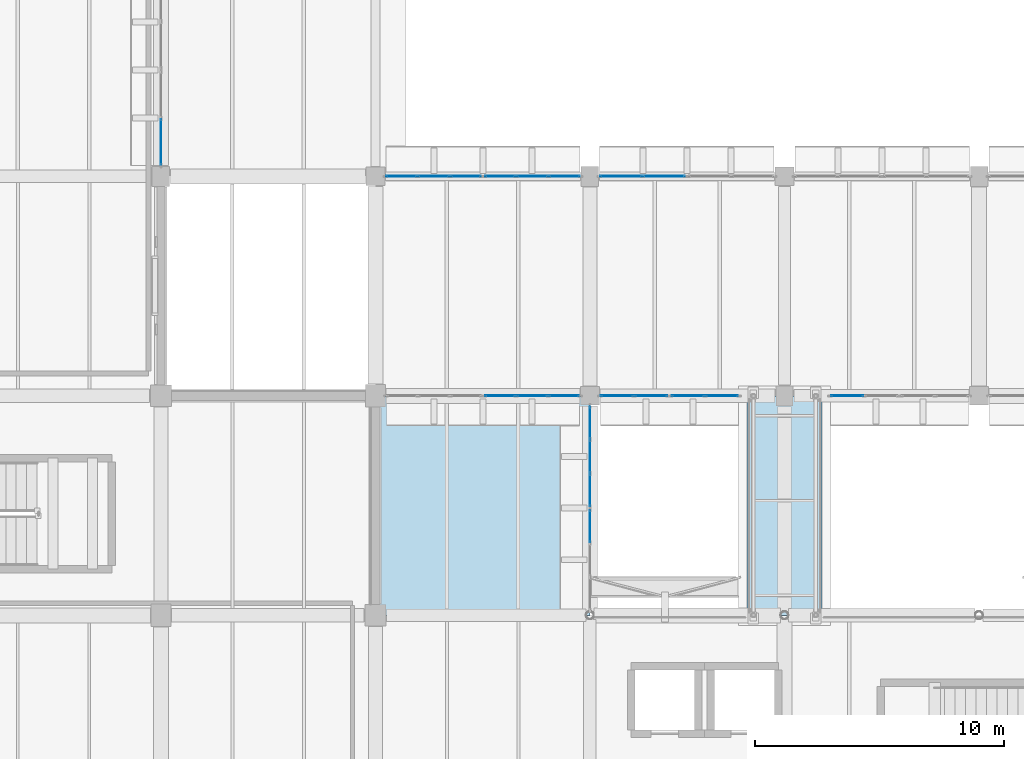
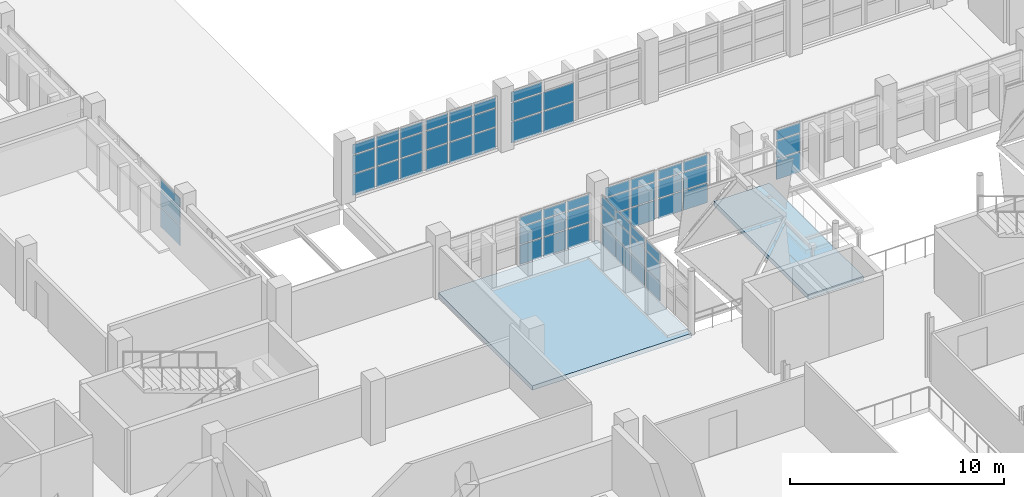
# One storey, part 50 of 80: 62 plates, 2 slabs, 10 elements without a shape of their own.
"""IFC4 building model written with IfcOpenShell, lengths in metres."""

from ifc_helpers import new_model, si_unit, direction, frame, origin, origin_2d, place, context, subcontext, project, spatial, polyline, rectangle, outline, extrude, material, layer, layer_set, type_object, element, aggregate, save


model = new_model("IFC4")

# Units and contexts
model_context = context("Model", 3, precision=1e-05, world=origin(), true_north=direction((0.0, 1.0)))
body_context = subcontext(model_context, "Body", "Model", "MODEL_VIEW")
ifc_project = project(units=[si_unit("LENGTHUNIT", "METRE"), si_unit("AREAUNIT", "SQUARE_METRE"), si_unit("VOLUMEUNIT", "CUBIC_METRE"), si_unit("PLANEANGLEUNIT", "RADIAN"), si_unit("MASSUNIT", "GRAM", prefix="KILO")], contexts=[model_context])

# Site, building, storey
site_placement = place(None, origin())
site = spatial("IfcSite", under=ifc_project, at=site_placement, CompositionType="ELEMENT")
building_placement = place(site_placement, origin())
building = spatial("IfcBuilding", under=site, at=building_placement, Name="Varnakota Cinema and Media Centre", CompositionType="ELEMENT")
storey_placement = place(building_placement, frame((0.0, 0.0, 4.5)))
storey = spatial("IfcBuildingStorey", under=building, at=storey_placement, Name="L01", CompositionType="ELEMENT", Elevation=4.5)

# Curtain wall, plates
ifc_material_1 = material(Name="Thermally broken anodised aluminium AW-6063", Category="aluminium")
curtain_wall_type_1 = type_object("IfcCurtainWallType", Name="CW-STD-392x304", PredefinedType="USERDEFINED", material=ifc_material_1)
curtain_wall_1_placement = place(storey_placement, origin())
curtain_wall_1 = element("IfcCurtainWall", 1, at=curtain_wall_1_placement, inside=storey, type_object=curtain_wall_type_1, Name="L01 curtain wall CW-L01-LINK-N-01-1", ObjectType="UNITISED CURTAIN WALL", PredefinedType="USERDEFINED")
ifc_material_2 = material(Name="Laminated solar-control double glazing", Category="glass")
ifc_layer_1 = layer(ifc_material_2, 0.028076171875)
ifc_layer_set_1 = layer_set([ifc_layer_1], Name="Laminated solar-control double glazing")
plate_type = type_object("IfcPlateType", Name="CWP-DGU-28", PredefinedType="CURTAIN_PANEL", material=ifc_layer_set_1)
plate_1_placement = place(storey_placement, frame((44.044189453125, 44.0, 0.06494140625), z_axis=(0.0, 0.0, 1.0), x_axis=(1.0, 0.0, 0.0)))
plate_1 = element("IfcPlate", 2, at=plate_1_placement, type_object=plate_type, Name="CW18 panel 1.1", PredefinedType="CURTAIN_PANEL", context=body_context, shape_type="SweptSolid", body=[
    extrude(rectangle(XDim=1.208251953125, YDim=0.028076171875, at=origin_2d()), origin(), (0.0, 0.0, 1.0), 1.17724609375),
])
plate_2_placement = place(storey_placement, frame((44.044189453125, 44.0, 1.30712890625), z_axis=(0.0, 0.0, 1.0), x_axis=(1.0, 0.0, 0.0)))
plate_2 = element("IfcPlate", 3, at=plate_2_placement, type_object=plate_type, Name="CW18 panel 1.2", PredefinedType="CURTAIN_PANEL", context=body_context, shape_type="SweptSolid", body=[
    extrude(rectangle(XDim=1.208251953125, YDim=0.028076171875, at=origin_2d()), origin(), (0.0, 0.0, 1.0), 1.027587890625),
])
plate_3_placement = place(storey_placement, frame((44.044189453125, 44.0, 2.399658203125), z_axis=(0.0, 0.0, 1.0), x_axis=(1.0, 0.0, 0.0)))
plate_3 = element("IfcPlate", 4, at=plate_3_placement, type_object=plate_type, Name="CW18 panel 1.3", PredefinedType="CURTAIN_PANEL", context=body_context, shape_type="SweptSolid", body=[
    extrude(rectangle(XDim=1.208251953125, YDim=0.028076171875, at=origin_2d()), origin(), (0.0, 0.0, 1.0), 0.5703125),
])
plate_4_placement = place(storey_placement, frame((45.333740234375, 44.0, 0.06494140625), z_axis=(0.0, 0.0, 1.0), x_axis=(1.0, 0.0, 0.0)))
plate_4 = element("IfcPlate", 5, at=plate_4_placement, type_object=plate_type, Name="CW18 panel 2.1", PredefinedType="CURTAIN_PANEL", context=body_context, shape_type="SweptSolid", body=[
    extrude(rectangle(XDim=1.24072265625, YDim=0.028076171875, at=origin_2d()), origin(), (0.0, 0.0, 1.0), 1.17724609375),
])
plate_5_placement = place(storey_placement, frame((45.333740234375, 44.0, 1.30712890625), z_axis=(0.0, 0.0, 1.0), x_axis=(1.0, 0.0, 0.0)))
plate_5 = element("IfcPlate", 6, at=plate_5_placement, type_object=plate_type, Name="CW18 panel 2.2", PredefinedType="CURTAIN_PANEL", context=body_context, shape_type="SweptSolid", body=[
    extrude(rectangle(XDim=1.24072265625, YDim=0.028076171875, at=origin_2d()), origin(), (0.0, 0.0, 1.0), 1.027587890625),
])
plate_6_placement = place(storey_placement, frame((45.333740234375, 44.0, 2.399658203125), z_axis=(0.0, 0.0, 1.0), x_axis=(1.0, 0.0, 0.0)))
plate_6 = element("IfcPlate", 7, at=plate_6_placement, type_object=plate_type, Name="CW18 panel 2.3", PredefinedType="CURTAIN_PANEL", context=body_context, shape_type="SweptSolid", body=[
    extrude(rectangle(XDim=1.24072265625, YDim=0.028076171875, at=origin_2d()), origin(), (0.0, 0.0, 1.0), 0.5703125),
])
plate_7_placement = place(storey_placement, frame((46.623291015625, 44.0, 0.06494140625), z_axis=(0.0, 0.0, 1.0), x_axis=(1.0, 0.0, 0.0)))
plate_7 = element("IfcPlate", 8, at=plate_7_placement, type_object=plate_type, Name="CW18 panel 3.1", PredefinedType="CURTAIN_PANEL", context=body_context, shape_type="SweptSolid", body=[
    extrude(rectangle(XDim=1.208251953125, YDim=0.028076171875, at=origin_2d()), origin(), (0.0, 0.0, 1.0), 1.17724609375),
])
plate_8_placement = place(storey_placement, frame((46.623291015625, 44.0, 1.30712890625), z_axis=(0.0, 0.0, 1.0), x_axis=(1.0, 0.0, 0.0)))
plate_8 = element("IfcPlate", 9, at=plate_8_placement, type_object=plate_type, Name="CW18 panel 3.2", PredefinedType="CURTAIN_PANEL", context=body_context, shape_type="SweptSolid", body=[
    extrude(rectangle(XDim=1.208251953125, YDim=0.028076171875, at=origin_2d()), origin(), (0.0, 0.0, 1.0), 1.027587890625),
])
plate_9_placement = place(storey_placement, frame((46.623291015625, 44.0, 2.399658203125), z_axis=(0.0, 0.0, 1.0), x_axis=(1.0, 0.0, 0.0)))
plate_9 = element("IfcPlate", 10, at=plate_9_placement, type_object=plate_type, Name="CW18 panel 3.3", PredefinedType="CURTAIN_PANEL", context=body_context, shape_type="SweptSolid", body=[
    extrude(rectangle(XDim=1.208251953125, YDim=0.028076171875, at=origin_2d()), origin(), (0.0, 0.0, 1.0), 0.5703125),
])
aggregate(curtain_wall_1, [plate_1, plate_2, plate_3, plate_4, plate_5, plate_6, plate_7, plate_8, plate_9])

curtain_wall_2_placement = place(storey_placement, origin())
curtain_wall_2 = element("IfcCurtainWall", 11, at=curtain_wall_2_placement, inside=storey, type_object=curtain_wall_type_1, Name="L01 curtain wall CW-L01-LINK-N-01-2", ObjectType="UNITISED CURTAIN WALL", PredefinedType="USERDEFINED")
plate_10_placement = place(storey_placement, frame((48.001708984375, 44.0, 0.06494140625), z_axis=(0.0, 0.0, 1.0), x_axis=(1.0, 0.0, 0.0)))
plate_10 = element("IfcPlate", 12, at=plate_10_placement, type_object=plate_type, Name="CW18 panel 1.1", PredefinedType="CURTAIN_PANEL", context=body_context, shape_type="SweptSolid", body=[
    extrude(rectangle(XDim=1.208251953125, YDim=0.028076171875, at=origin_2d()), origin(), (0.0, 0.0, 1.0), 1.17724609375),
])
plate_11_placement = place(storey_placement, frame((48.001708984375, 44.0, 1.30712890625), z_axis=(0.0, 0.0, 1.0), x_axis=(1.0, 0.0, 0.0)))
plate_11 = element("IfcPlate", 13, at=plate_11_placement, type_object=plate_type, Name="CW18 panel 1.2", PredefinedType="CURTAIN_PANEL", context=body_context, shape_type="SweptSolid", body=[
    extrude(rectangle(XDim=1.208251953125, YDim=0.028076171875, at=origin_2d()), origin(), (0.0, 0.0, 1.0), 1.027587890625),
])
plate_12_placement = place(storey_placement, frame((48.001708984375, 44.0, 2.399658203125), z_axis=(0.0, 0.0, 1.0), x_axis=(1.0, 0.0, 0.0)))
plate_12 = element("IfcPlate", 14, at=plate_12_placement, type_object=plate_type, Name="CW18 panel 1.3", PredefinedType="CURTAIN_PANEL", context=body_context, shape_type="SweptSolid", body=[
    extrude(rectangle(XDim=1.208251953125, YDim=0.028076171875, at=origin_2d()), origin(), (0.0, 0.0, 1.0), 0.5703125),
])
plate_13_placement = place(storey_placement, frame((49.291259765625, 44.0, 0.06494140625), z_axis=(0.0, 0.0, 1.0), x_axis=(1.0, 0.0, 0.0)))
plate_13 = element("IfcPlate", 15, at=plate_13_placement, type_object=plate_type, Name="CW18 panel 2.1", PredefinedType="CURTAIN_PANEL", context=body_context, shape_type="SweptSolid", body=[
    extrude(rectangle(XDim=1.24072265625, YDim=0.028076171875, at=origin_2d()), origin(), (0.0, 0.0, 1.0), 1.17724609375),
])
plate_14_placement = place(storey_placement, frame((49.291259765625, 44.0, 1.30712890625), z_axis=(0.0, 0.0, 1.0), x_axis=(1.0, 0.0, 0.0)))
plate_14 = element("IfcPlate", 16, at=plate_14_placement, type_object=plate_type, Name="CW18 panel 2.2", PredefinedType="CURTAIN_PANEL", context=body_context, shape_type="SweptSolid", body=[
    extrude(rectangle(XDim=1.24072265625, YDim=0.028076171875, at=origin_2d()), origin(), (0.0, 0.0, 1.0), 1.027587890625),
])
plate_15_placement = place(storey_placement, frame((49.291259765625, 44.0, 2.399658203125), z_axis=(0.0, 0.0, 1.0), x_axis=(1.0, 0.0, 0.0)))
plate_15 = element("IfcPlate", 17, at=plate_15_placement, type_object=plate_type, Name="CW18 panel 2.3", PredefinedType="CURTAIN_PANEL", context=body_context, shape_type="SweptSolid", body=[
    extrude(rectangle(XDim=1.24072265625, YDim=0.028076171875, at=origin_2d()), origin(), (0.0, 0.0, 1.0), 0.5703125),
])
plate_16_placement = place(storey_placement, frame((50.580810546875, 44.0, 0.06494140625), z_axis=(0.0, 0.0, 1.0), x_axis=(1.0, 0.0, 0.0)))
plate_16 = element("IfcPlate", 18, at=plate_16_placement, type_object=plate_type, Name="CW18 panel 3.1", PredefinedType="CURTAIN_PANEL", context=body_context, shape_type="SweptSolid", body=[
    extrude(rectangle(XDim=1.208251953125, YDim=0.028076171875, at=origin_2d()), origin(), (0.0, 0.0, 1.0), 1.17724609375),
])
plate_17_placement = place(storey_placement, frame((50.580810546875, 44.0, 1.30712890625), z_axis=(0.0, 0.0, 1.0), x_axis=(1.0, 0.0, 0.0)))
plate_17 = element("IfcPlate", 19, at=plate_17_placement, type_object=plate_type, Name="CW18 panel 3.2", PredefinedType="CURTAIN_PANEL", context=body_context, shape_type="SweptSolid", body=[
    extrude(rectangle(XDim=1.208251953125, YDim=0.028076171875, at=origin_2d()), origin(), (0.0, 0.0, 1.0), 1.027587890625),
])
plate_18_placement = place(storey_placement, frame((50.580810546875, 44.0, 2.399658203125), z_axis=(0.0, 0.0, 1.0), x_axis=(1.0, 0.0, 0.0)))
plate_18 = element("IfcPlate", 20, at=plate_18_placement, type_object=plate_type, Name="CW18 panel 3.3", PredefinedType="CURTAIN_PANEL", context=body_context, shape_type="SweptSolid", body=[
    extrude(rectangle(XDim=1.208251953125, YDim=0.028076171875, at=origin_2d()), origin(), (0.0, 0.0, 1.0), 0.5703125),
])
aggregate(curtain_wall_2, [plate_10, plate_11, plate_12, plate_13, plate_14, plate_15, plate_16, plate_17, plate_18])

ifc_material_3 = material(Name="Thermally broken anodised aluminium AW-6063", Category="aluminium")
curtain_wall_type_2 = type_object("IfcCurtainWallType", Name="CW-STD-352x304", PredefinedType="USERDEFINED", material=ifc_material_3)
curtain_wall_3_placement = place(storey_placement, origin())
curtain_wall_3 = element("IfcCurtainWall", 21, at=curtain_wall_3_placement, inside=storey, type_object=curtain_wall_type_2, Name="L01 curtain wall CW-L01-LINK-N-02-1", ObjectType="UNITISED CURTAIN WALL", PredefinedType="USERDEFINED")
plate_19_placement = place(storey_placement, frame((52.845703125, 44.0, 0.06494140625), z_axis=(0.0, 0.0, 1.0), x_axis=(1.0, 0.0, 0.0)))
plate_19 = element("IfcPlate", 22, at=plate_19_placement, type_object=plate_type, Name="CW19 panel 1.1", PredefinedType="CURTAIN_PANEL", context=body_context, shape_type="SweptSolid", body=[
    extrude(rectangle(XDim=1.6611328125, YDim=0.028076171875, at=origin_2d()), origin(), (0.0, 0.0, 1.0), 1.17724609375),
])
plate_20_placement = place(storey_placement, frame((52.845703125, 44.0, 1.30712890625), z_axis=(0.0, 0.0, 1.0), x_axis=(1.0, 0.0, 0.0)))
plate_20 = element("IfcPlate", 23, at=plate_20_placement, type_object=plate_type, Name="CW19 panel 1.2", PredefinedType="CURTAIN_PANEL", context=body_context, shape_type="SweptSolid", body=[
    extrude(rectangle(XDim=1.6611328125, YDim=0.028076171875, at=origin_2d()), origin(), (0.0, 0.0, 1.0), 1.027587890625),
])
plate_21_placement = place(storey_placement, frame((52.845703125, 44.0, 2.399658203125), z_axis=(0.0, 0.0, 1.0), x_axis=(1.0, 0.0, 0.0)))
plate_21 = element("IfcPlate", 24, at=plate_21_placement, type_object=plate_type, Name="CW19 panel 1.3", PredefinedType="CURTAIN_PANEL", context=body_context, shape_type="SweptSolid", body=[
    extrude(rectangle(XDim=1.6611328125, YDim=0.028076171875, at=origin_2d()), origin(), (0.0, 0.0, 1.0), 0.5703125),
])
plate_22_placement = place(storey_placement, frame((54.57177734375, 44.0, 0.06494140625), z_axis=(0.0, 0.0, 1.0), x_axis=(1.0, 0.0, 0.0)))
plate_22 = element("IfcPlate", 25, at=plate_22_placement, type_object=plate_type, Name="CW19 panel 2.1", PredefinedType="CURTAIN_PANEL", context=body_context, shape_type="SweptSolid", body=[
    extrude(rectangle(XDim=1.6611328125, YDim=0.028076171875, at=origin_2d()), origin(), (0.0, 0.0, 1.0), 1.17724609375),
])
plate_23_placement = place(storey_placement, frame((54.57177734375, 44.0, 1.30712890625), z_axis=(0.0, 0.0, 1.0), x_axis=(1.0, 0.0, 0.0)))
plate_23 = element("IfcPlate", 26, at=plate_23_placement, type_object=plate_type, Name="CW19 panel 2.2", PredefinedType="CURTAIN_PANEL", context=body_context, shape_type="SweptSolid", body=[
    extrude(rectangle(XDim=1.6611328125, YDim=0.028076171875, at=origin_2d()), origin(), (0.0, 0.0, 1.0), 1.027587890625),
])
aggregate(curtain_wall_3, [plate_19, plate_20, plate_21, plate_22, plate_23])

ifc_material_4 = material(Name="Thermally broken anodised aluminium AW-6063", Category="aluminium")
curtain_wall_type_3 = type_object("IfcCurtainWallType", Name="CW-STD-279x288", PredefinedType="USERDEFINED", material=ifc_material_4)
curtain_wall_4_placement = place(storey_placement, origin())
curtain_wall_4 = element("IfcCurtainWall", 27, at=curtain_wall_4_placement, inside=storey, type_object=curtain_wall_type_3, Name="L01 curtain wall CW-L01-LINK-S-W-01-1", ObjectType="UNITISED CURTAIN WALL", PredefinedType="USERDEFINED")
plate_24_placement = place(storey_placement, frame((56.8857421875, 35.199951171875, 0.06494140625), z_axis=(0.0, 0.0, 1.0), x_axis=(-1.0, 0.0, 0.0)))
plate_24 = element("IfcPlate", 28, at=plate_24_placement, type_object=plate_type, Name="CW20 panel 1.1", PredefinedType="CURTAIN_PANEL", context=body_context, shape_type="SweptSolid", body=[
    extrude(rectangle(XDim=1.298828125, YDim=0.028076171875, at=origin_2d()), origin(), (0.0, 0.0, 1.0), 1.1142578125),
])
plate_25_placement = place(storey_placement, frame((56.8857421875, 35.199951171875, 1.244140625), z_axis=(0.0, 0.0, 1.0), x_axis=(-1.0, 0.0, 0.0)))
plate_25 = element("IfcPlate", 29, at=plate_25_placement, type_object=plate_type, Name="CW20 panel 1.2", PredefinedType="CURTAIN_PANEL", context=body_context, shape_type="SweptSolid", body=[
    extrude(rectangle(XDim=1.298828125, YDim=0.028076171875, at=origin_2d()), origin(), (0.0, 0.0, 1.0), 0.9736328125),
])
plate_26_placement = place(storey_placement, frame((56.8857421875, 35.199951171875, 2.282958984375), z_axis=(0.0, 0.0, 1.0), x_axis=(-1.0, 0.0, 0.0)))
plate_26 = element("IfcPlate", 30, at=plate_26_placement, type_object=plate_type, Name="CW20 panel 1.3", PredefinedType="CURTAIN_PANEL", context=body_context, shape_type="SweptSolid", body=[
    extrude(rectangle(XDim=1.298828125, YDim=0.028076171875, at=origin_2d()), origin(), (0.0, 0.0, 1.0), 0.537109375),
])
plate_27_placement = place(storey_placement, frame((55.52197265625, 35.199951171875, 0.06494140625), z_axis=(0.0, 0.0, 1.0), x_axis=(-1.0, 0.0, 0.0)))
plate_27 = element("IfcPlate", 31, at=plate_27_placement, type_object=plate_type, Name="CW20 panel 2.1", PredefinedType="CURTAIN_PANEL", context=body_context, shape_type="SweptSolid", body=[
    extrude(rectangle(XDim=1.298828125, YDim=0.028076171875, at=origin_2d()), origin(), (0.0, 0.0, 1.0), 1.1142578125),
])
plate_28_placement = place(storey_placement, frame((55.52197265625, 35.199951171875, 1.244140625), z_axis=(0.0, 0.0, 1.0), x_axis=(-1.0, 0.0, 0.0)))
plate_28 = element("IfcPlate", 32, at=plate_28_placement, type_object=plate_type, Name="CW20 panel 2.2", PredefinedType="CURTAIN_PANEL", context=body_context, shape_type="SweptSolid", body=[
    extrude(rectangle(XDim=1.298828125, YDim=0.028076171875, at=origin_2d()), origin(), (0.0, 0.0, 1.0), 0.9736328125),
])
plate_29_placement = place(storey_placement, frame((55.52197265625, 35.199951171875, 2.282958984375), z_axis=(0.0, 0.0, 1.0), x_axis=(-1.0, 0.0, 0.0)))
plate_29 = element("IfcPlate", 33, at=plate_29_placement, type_object=plate_type, Name="CW20 panel 2.3", PredefinedType="CURTAIN_PANEL", context=body_context, shape_type="SweptSolid", body=[
    extrude(rectangle(XDim=1.298828125, YDim=0.028076171875, at=origin_2d()), origin(), (0.0, 0.0, 1.0), 0.537109375),
])
aggregate(curtain_wall_4, [plate_24, plate_25, plate_26, plate_27, plate_28, plate_29])

curtain_wall_5_placement = place(storey_placement, origin())
curtain_wall_5 = element("IfcCurtainWall", 34, at=curtain_wall_5_placement, inside=storey, type_object=curtain_wall_type_3, Name="L01 curtain wall CW-L01-LINK-S-W-01-2", ObjectType="UNITISED CURTAIN WALL", PredefinedType="USERDEFINED")
plate_30_placement = place(storey_placement, frame((54.05322265625, 35.199951171875, 0.06494140625), z_axis=(0.0, 0.0, 1.0), x_axis=(-1.0, 0.0, 0.0)))
plate_30 = element("IfcPlate", 35, at=plate_30_placement, type_object=plate_type, Name="CW20 panel 1.1", PredefinedType="CURTAIN_PANEL", context=body_context, shape_type="SweptSolid", body=[
    extrude(rectangle(XDim=1.298828125, YDim=0.028076171875, at=origin_2d()), origin(), (0.0, 0.0, 1.0), 1.1142578125),
])
plate_31_placement = place(storey_placement, frame((54.05322265625, 35.199951171875, 1.244140625), z_axis=(0.0, 0.0, 1.0), x_axis=(-1.0, 0.0, 0.0)))
plate_31 = element("IfcPlate", 36, at=plate_31_placement, type_object=plate_type, Name="CW20 panel 1.2", PredefinedType="CURTAIN_PANEL", context=body_context, shape_type="SweptSolid", body=[
    extrude(rectangle(XDim=1.298828125, YDim=0.028076171875, at=origin_2d()), origin(), (0.0, 0.0, 1.0), 0.9736328125),
])
plate_32_placement = place(storey_placement, frame((54.05322265625, 35.199951171875, 2.282958984375), z_axis=(0.0, 0.0, 1.0), x_axis=(-1.0, 0.0, 0.0)))
plate_32 = element("IfcPlate", 37, at=plate_32_placement, type_object=plate_type, Name="CW20 panel 1.3", PredefinedType="CURTAIN_PANEL", context=body_context, shape_type="SweptSolid", body=[
    extrude(rectangle(XDim=1.298828125, YDim=0.028076171875, at=origin_2d()), origin(), (0.0, 0.0, 1.0), 0.537109375),
])
plate_33_placement = place(storey_placement, frame((52.689453125, 35.199951171875, 0.06494140625), z_axis=(0.0, 0.0, 1.0), x_axis=(-1.0, 0.0, 0.0)))
plate_33 = element("IfcPlate", 38, at=plate_33_placement, type_object=plate_type, Name="CW20 panel 2.1", PredefinedType="CURTAIN_PANEL", context=body_context, shape_type="SweptSolid", body=[
    extrude(rectangle(XDim=1.298828125, YDim=0.028076171875, at=origin_2d()), origin(), (0.0, 0.0, 1.0), 1.1142578125),
])
plate_34_placement = place(storey_placement, frame((52.689453125, 35.199951171875, 1.244140625), z_axis=(0.0, 0.0, 1.0), x_axis=(-1.0, 0.0, 0.0)))
plate_34 = element("IfcPlate", 39, at=plate_34_placement, type_object=plate_type, Name="CW20 panel 2.2", PredefinedType="CURTAIN_PANEL", context=body_context, shape_type="SweptSolid", body=[
    extrude(rectangle(XDim=1.298828125, YDim=0.028076171875, at=origin_2d()), origin(), (0.0, 0.0, 1.0), 0.9736328125),
])
plate_35_placement = place(storey_placement, frame((52.689453125, 35.199951171875, 2.282958984375), z_axis=(0.0, 0.0, 1.0), x_axis=(-1.0, 0.0, 0.0)))
plate_35 = element("IfcPlate", 40, at=plate_35_placement, type_object=plate_type, Name="CW20 panel 2.3", PredefinedType="CURTAIN_PANEL", context=body_context, shape_type="SweptSolid", body=[
    extrude(rectangle(XDim=1.298828125, YDim=0.028076171875, at=origin_2d()), origin(), (0.0, 0.0, 1.0), 0.537109375),
])
aggregate(curtain_wall_5, [plate_30, plate_31, plate_32, plate_33, plate_34, plate_35])

ifc_material_5 = material(Name="Thermally broken anodised aluminium AW-6063", Category="aluminium")
curtain_wall_type_4 = type_object("IfcCurtainWallType", Name="CW-STD-389x284", PredefinedType="USERDEFINED", material=ifc_material_5)
curtain_wall_6_placement = place(storey_placement, origin())
curtain_wall_6 = element("IfcCurtainWall", 41, at=curtain_wall_6_placement, inside=storey, type_object=curtain_wall_type_4, Name="L01 curtain wall CW-L01-LINK-S-W-02-1", ObjectType="UNITISED CURTAIN WALL", PredefinedType="USERDEFINED")
plate_36_placement = place(storey_placement, frame((50.56005859375, 35.199951171875, 0.06494140625), z_axis=(0.0, 0.0, 1.0), x_axis=(-1.0, 0.0, 0.0)))
plate_36 = element("IfcPlate", 42, at=plate_36_placement, type_object=plate_type, Name="CW21 panel 1.1", PredefinedType="CURTAIN_PANEL", context=body_context, shape_type="SweptSolid", body=[
    extrude(rectangle(XDim=1.199951171875, YDim=0.028076171875, at=origin_2d()), origin(), (0.0, 0.0, 1.0), 1.09326171875),
])
plate_37_placement = place(storey_placement, frame((50.56005859375, 35.199951171875, 1.22314453125), z_axis=(0.0, 0.0, 1.0), x_axis=(-1.0, 0.0, 0.0)))
plate_37 = element("IfcPlate", 43, at=plate_37_placement, type_object=plate_type, Name="CW21 panel 1.2", PredefinedType="CURTAIN_PANEL", context=body_context, shape_type="SweptSolid", body=[
    extrude(rectangle(XDim=1.199951171875, YDim=0.028076171875, at=origin_2d()), origin(), (0.0, 0.0, 1.0), 0.95556640625),
])
plate_38_placement = place(storey_placement, frame((50.56005859375, 35.199951171875, 2.24365234375), z_axis=(0.0, 0.0, 1.0), x_axis=(-1.0, 0.0, 0.0)))
plate_38 = element("IfcPlate", 44, at=plate_38_placement, type_object=plate_type, Name="CW21 panel 1.3", PredefinedType="CURTAIN_PANEL", context=body_context, shape_type="SweptSolid", body=[
    extrude(rectangle(XDim=1.199951171875, YDim=0.028076171875, at=origin_2d()), origin(), (0.0, 0.0, 1.0), 0.526123046875),
])
plate_39_placement = place(storey_placement, frame((49.27880859375, 35.199951171875, 0.06494140625), z_axis=(0.0, 0.0, 1.0), x_axis=(-1.0, 0.0, 0.0)))
plate_39 = element("IfcPlate", 45, at=plate_39_placement, type_object=plate_type, Name="CW21 panel 2.1", PredefinedType="CURTAIN_PANEL", context=body_context, shape_type="SweptSolid", body=[
    extrude(rectangle(XDim=1.232421875, YDim=0.028076171875, at=origin_2d()), origin(), (0.0, 0.0, 1.0), 1.09326171875),
])
plate_40_placement = place(storey_placement, frame((49.27880859375, 35.199951171875, 1.22314453125), z_axis=(0.0, 0.0, 1.0), x_axis=(-1.0, 0.0, 0.0)))
plate_40 = element("IfcPlate", 46, at=plate_40_placement, type_object=plate_type, Name="CW21 panel 2.2", PredefinedType="CURTAIN_PANEL", context=body_context, shape_type="SweptSolid", body=[
    extrude(rectangle(XDim=1.232421875, YDim=0.028076171875, at=origin_2d()), origin(), (0.0, 0.0, 1.0), 0.95556640625),
])
plate_41_placement = place(storey_placement, frame((49.27880859375, 35.199951171875, 2.24365234375), z_axis=(0.0, 0.0, 1.0), x_axis=(-1.0, 0.0, 0.0)))
plate_41 = element("IfcPlate", 47, at=plate_41_placement, type_object=plate_type, Name="CW21 panel 2.3", PredefinedType="CURTAIN_PANEL", context=body_context, shape_type="SweptSolid", body=[
    extrude(rectangle(XDim=1.232421875, YDim=0.028076171875, at=origin_2d()), origin(), (0.0, 0.0, 1.0), 0.526123046875),
])
plate_42_placement = place(storey_placement, frame((47.99755859375, 35.199951171875, 0.06494140625), z_axis=(0.0, 0.0, 1.0), x_axis=(-1.0, 0.0, 0.0)))
plate_42 = element("IfcPlate", 48, at=plate_42_placement, type_object=plate_type, Name="CW21 panel 3.1", PredefinedType="CURTAIN_PANEL", context=body_context, shape_type="SweptSolid", body=[
    extrude(rectangle(XDim=1.199951171875, YDim=0.028076171875, at=origin_2d()), origin(), (0.0, 0.0, 1.0), 1.09326171875),
])
plate_43_placement = place(storey_placement, frame((47.99755859375, 35.199951171875, 1.22314453125), z_axis=(0.0, 0.0, 1.0), x_axis=(-1.0, 0.0, 0.0)))
plate_43 = element("IfcPlate", 49, at=plate_43_placement, type_object=plate_type, Name="CW21 panel 3.2", PredefinedType="CURTAIN_PANEL", context=body_context, shape_type="SweptSolid", body=[
    extrude(rectangle(XDim=1.199951171875, YDim=0.028076171875, at=origin_2d()), origin(), (0.0, 0.0, 1.0), 0.95556640625),
])
plate_44_placement = place(storey_placement, frame((47.99755859375, 35.199951171875, 2.24365234375), z_axis=(0.0, 0.0, 1.0), x_axis=(-1.0, 0.0, 0.0)))
plate_44 = element("IfcPlate", 50, at=plate_44_placement, type_object=plate_type, Name="CW21 panel 3.3", PredefinedType="CURTAIN_PANEL", context=body_context, shape_type="SweptSolid", body=[
    extrude(rectangle(XDim=1.199951171875, YDim=0.028076171875, at=origin_2d()), origin(), (0.0, 0.0, 1.0), 0.526123046875),
])
aggregate(curtain_wall_6, [plate_36, plate_37, plate_38, plate_39, plate_40, plate_41, plate_42, plate_43, plate_44])

ifc_material_6 = material(Name="Thermally broken anodised aluminium AW-6063", Category="aluminium")
curtain_wall_type_5 = type_object("IfcCurtainWallType", Name="CW-STD-279x294", PredefinedType="USERDEFINED", material=ifc_material_6)
curtain_wall_7_placement = place(storey_placement, origin())
curtain_wall_7 = element("IfcCurtainWall", 51, at=curtain_wall_7_placement, inside=storey, type_object=curtain_wall_type_5, Name="L01 curtain wall CW-L01-LINK-S-E-02-2", ObjectType="UNITISED CURTAIN WALL", PredefinedType="USERDEFINED")
plate_45_placement = place(storey_placement, frame((61.914306640625, 35.199951171875, 0.06494140625), z_axis=(0.0, 0.0, 1.0), x_axis=(-1.0, 0.0, 0.0)))
plate_45 = element("IfcPlate", 52, at=plate_45_placement, type_object=plate_type, Name="CW23 panel 2.1", PredefinedType="CURTAIN_PANEL", context=body_context, shape_type="SweptSolid", body=[
    extrude(rectangle(XDim=1.298828125, YDim=0.028076171875, at=origin_2d()), origin(), (0.0, 0.0, 1.0), 1.13525390625),
])
plate_46_placement = place(storey_placement, frame((61.914306640625, 35.199951171875, 1.26513671875), z_axis=(0.0, 0.0, 1.0), x_axis=(-1.0, 0.0, 0.0)))
plate_46 = element("IfcPlate", 53, at=plate_46_placement, type_object=plate_type, Name="CW23 panel 2.2", PredefinedType="CURTAIN_PANEL", context=body_context, shape_type="SweptSolid", body=[
    extrude(rectangle(XDim=1.298828125, YDim=0.028076171875, at=origin_2d()), origin(), (0.0, 0.0, 1.0), 0.99169921875),
])
plate_47_placement = place(storey_placement, frame((61.914306640625, 35.199951171875, 2.32177734375), z_axis=(0.0, 0.0, 1.0), x_axis=(-1.0, 0.0, 0.0)))
plate_47 = element("IfcPlate", 54, at=plate_47_placement, type_object=plate_type, Name="CW23 panel 2.3", PredefinedType="CURTAIN_PANEL", context=body_context, shape_type="SweptSolid", body=[
    extrude(rectangle(XDim=1.298828125, YDim=0.028076171875, at=origin_2d()), origin(), (0.0, 0.0, 1.0), 0.548095703125),
])
aggregate(curtain_wall_7, [plate_45, plate_46, plate_47])

ifc_material_7 = material(Name="Thermally broken anodised aluminium AW-6063", Category="aluminium")
curtain_wall_type_6 = type_object("IfcCurtainWallType", Name="CW-STD-411x284", PredefinedType="USERDEFINED", material=ifc_material_7)
curtain_wall_8_placement = place(storey_placement, origin())
curtain_wall_8 = element("IfcCurtainWall", 55, at=curtain_wall_8_placement, inside=storey, type_object=curtain_wall_type_6, Name="L01 curtain wall CW-L01-WLINK-E-01-1", ObjectType="UNITISED CURTAIN WALL", PredefinedType="USERDEFINED")
plate_48_placement = place(storey_placement, frame((51.60009765625, 29.971923828125, 0.06494140625), z_axis=(0.0, 0.0, 1.0), x_axis=(0.0, 1.0, 0.0)))
plate_48 = element("IfcPlate", 56, at=plate_48_placement, type_object=plate_type, Name="CW24 panel 3.1", PredefinedType="CURTAIN_PANEL", context=body_context, shape_type="SweptSolid", body=[
    extrude(rectangle(XDim=1.27294921875, YDim=0.028076171875, at=origin_2d()), origin(), (0.0, 0.0, 1.0), 1.09326171875),
])
plate_49_placement = place(storey_placement, frame((51.60009765625, 29.971923828125, 1.22314453125), z_axis=(0.0, 0.0, 1.0), x_axis=(0.0, 1.0, 0.0)))
plate_49 = element("IfcPlate", 57, at=plate_49_placement, type_object=plate_type, Name="CW24 panel 3.2", PredefinedType="CURTAIN_PANEL", context=body_context, shape_type="SweptSolid", body=[
    extrude(rectangle(XDim=1.27294921875, YDim=0.028076171875, at=origin_2d()), origin(), (0.0, 0.0, 1.0), 0.95556640625),
])
plate_50_placement = place(storey_placement, frame((51.60009765625, 29.971923828125, 2.24365234375), z_axis=(0.0, 0.0, 1.0), x_axis=(0.0, 1.0, 0.0)))
plate_50 = element("IfcPlate", 58, at=plate_50_placement, type_object=plate_type, Name="CW24 panel 3.3", PredefinedType="CURTAIN_PANEL", context=body_context, shape_type="SweptSolid", body=[
    extrude(rectangle(XDim=1.27294921875, YDim=0.028076171875, at=origin_2d()), origin(), (0.0, 0.0, 1.0), 0.526123046875),
])
aggregate(curtain_wall_8, [plate_48, plate_49, plate_50])

curtain_wall_9_placement = place(storey_placement, origin())
curtain_wall_9 = element("IfcCurtainWall", 59, at=curtain_wall_9_placement, inside=storey, type_object=curtain_wall_type_6, Name="L01 curtain wall CW-L01-WLINK-E-01-2", ObjectType="UNITISED CURTAIN WALL", PredefinedType="USERDEFINED")
plate_51_placement = place(storey_placement, frame((51.60009765625, 31.4150390625, 0.06494140625), z_axis=(0.0, 0.0, 1.0), x_axis=(0.0, 1.0, 0.0)))
plate_51 = element("IfcPlate", 60, at=plate_51_placement, type_object=plate_type, Name="CW24 panel 1.1", PredefinedType="CURTAIN_PANEL", context=body_context, shape_type="SweptSolid", body=[
    extrude(rectangle(XDim=1.27294921875, YDim=0.028076171875, at=origin_2d()), origin(), (0.0, 0.0, 1.0), 1.09326171875),
])
plate_52_placement = place(storey_placement, frame((51.60009765625, 31.4150390625, 1.22314453125), z_axis=(0.0, 0.0, 1.0), x_axis=(0.0, 1.0, 0.0)))
plate_52 = element("IfcPlate", 61, at=plate_52_placement, type_object=plate_type, Name="CW24 panel 1.2", PredefinedType="CURTAIN_PANEL", context=body_context, shape_type="SweptSolid", body=[
    extrude(rectangle(XDim=1.27294921875, YDim=0.028076171875, at=origin_2d()), origin(), (0.0, 0.0, 1.0), 0.95556640625),
])
plate_53_placement = place(storey_placement, frame((51.60009765625, 31.4150390625, 2.24365234375), z_axis=(0.0, 0.0, 1.0), x_axis=(0.0, 1.0, 0.0)))
plate_53 = element("IfcPlate", 62, at=plate_53_placement, type_object=plate_type, Name="CW24 panel 1.3", PredefinedType="CURTAIN_PANEL", context=body_context, shape_type="SweptSolid", body=[
    extrude(rectangle(XDim=1.27294921875, YDim=0.028076171875, at=origin_2d()), origin(), (0.0, 0.0, 1.0), 0.526123046875),
])
plate_54_placement = place(storey_placement, frame((51.60009765625, 32.769287109375, 0.06494140625), z_axis=(0.0, 0.0, 1.0), x_axis=(0.0, 1.0, 0.0)))
plate_54 = element("IfcPlate", 63, at=plate_54_placement, type_object=plate_type, Name="CW24 panel 2.1", PredefinedType="CURTAIN_PANEL", context=body_context, shape_type="SweptSolid", body=[
    extrude(rectangle(XDim=1.305419921875, YDim=0.028076171875, at=origin_2d()), origin(), (0.0, 0.0, 1.0), 1.09326171875),
])
plate_55_placement = place(storey_placement, frame((51.60009765625, 32.769287109375, 1.22314453125), z_axis=(0.0, 0.0, 1.0), x_axis=(0.0, 1.0, 0.0)))
plate_55 = element("IfcPlate", 64, at=plate_55_placement, type_object=plate_type, Name="CW24 panel 2.2", PredefinedType="CURTAIN_PANEL", context=body_context, shape_type="SweptSolid", body=[
    extrude(rectangle(XDim=1.305419921875, YDim=0.028076171875, at=origin_2d()), origin(), (0.0, 0.0, 1.0), 0.95556640625),
])
plate_56_placement = place(storey_placement, frame((51.60009765625, 32.769287109375, 2.24365234375), z_axis=(0.0, 0.0, 1.0), x_axis=(0.0, 1.0, 0.0)))
plate_56 = element("IfcPlate", 65, at=plate_56_placement, type_object=plate_type, Name="CW24 panel 2.3", PredefinedType="CURTAIN_PANEL", context=body_context, shape_type="SweptSolid", body=[
    extrude(rectangle(XDim=1.305419921875, YDim=0.028076171875, at=origin_2d()), origin(), (0.0, 0.0, 1.0), 0.526123046875),
])
plate_57_placement = place(storey_placement, frame((51.60009765625, 34.12353515625, 0.06494140625), z_axis=(0.0, 0.0, 1.0), x_axis=(0.0, 1.0, 0.0)))
plate_57 = element("IfcPlate", 66, at=plate_57_placement, type_object=plate_type, Name="CW24 panel 3.1", PredefinedType="CURTAIN_PANEL", context=body_context, shape_type="SweptSolid", body=[
    extrude(rectangle(XDim=1.27294921875, YDim=0.028076171875, at=origin_2d()), origin(), (0.0, 0.0, 1.0), 1.09326171875),
])
plate_58_placement = place(storey_placement, frame((51.60009765625, 34.12353515625, 1.22314453125), z_axis=(0.0, 0.0, 1.0), x_axis=(0.0, 1.0, 0.0)))
plate_58 = element("IfcPlate", 67, at=plate_58_placement, type_object=plate_type, Name="CW24 panel 3.2", PredefinedType="CURTAIN_PANEL", context=body_context, shape_type="SweptSolid", body=[
    extrude(rectangle(XDim=1.27294921875, YDim=0.028076171875, at=origin_2d()), origin(), (0.0, 0.0, 1.0), 0.95556640625),
])
plate_59_placement = place(storey_placement, frame((51.60009765625, 34.12353515625, 2.24365234375), z_axis=(0.0, 0.0, 1.0), x_axis=(0.0, 1.0, 0.0)))
plate_59 = element("IfcPlate", 68, at=plate_59_placement, type_object=plate_type, Name="CW24 panel 3.3", PredefinedType="CURTAIN_PANEL", context=body_context, shape_type="SweptSolid", body=[
    extrude(rectangle(XDim=1.27294921875, YDim=0.028076171875, at=origin_2d()), origin(), (0.0, 0.0, 1.0), 0.526123046875),
])
aggregate(curtain_wall_9, [plate_51, plate_52, plate_53, plate_54, plate_55, plate_56, plate_57, plate_58, plate_59])

ifc_material_8 = material(Name="Thermally broken anodised aluminium AW-6063", Category="aluminium")
curtain_wall_type_7 = type_object("IfcCurtainWallType", Name="CW-STD-384x284", PredefinedType="USERDEFINED", material=ifc_material_8)
curtain_wall_10_placement = place(storey_placement, origin())
curtain_wall_10 = element("IfcCurtainWall", 69, at=curtain_wall_10_placement, inside=storey, type_object=curtain_wall_type_7, Name="L01 curtain wall CW-L01-V5-E-02-1", ObjectType="UNITISED CURTAIN WALL", PredefinedType="USERDEFINED")
plate_60_placement = place(storey_placement, frame((34.39990234375, 45.376953125, 0.06494140625), z_axis=(0.0, 0.0, 1.0), x_axis=(0.0, 1.0, 0.0)))
plate_60 = element("IfcPlate", 70, at=plate_60_placement, type_object=plate_type, Name="CW25 panel 1.1", PredefinedType="CURTAIN_PANEL", context=body_context, shape_type="SweptSolid", body=[
    extrude(rectangle(XDim=1.82373046875, YDim=0.028076171875, at=origin_2d()), origin(), (0.0, 0.0, 1.0), 1.09326171875),
])
plate_61_placement = place(storey_placement, frame((34.39990234375, 45.376953125, 1.22314453125), z_axis=(0.0, 0.0, 1.0), x_axis=(0.0, 1.0, 0.0)))
plate_61 = element("IfcPlate", 71, at=plate_61_placement, type_object=plate_type, Name="CW25 panel 1.2", PredefinedType="CURTAIN_PANEL", context=body_context, shape_type="SweptSolid", body=[
    extrude(rectangle(XDim=1.82373046875, YDim=0.028076171875, at=origin_2d()), origin(), (0.0, 0.0, 1.0), 0.95556640625),
])
plate_62_placement = place(storey_placement, frame((34.39990234375, 45.376953125, 2.24365234375), z_axis=(0.0, 0.0, 1.0), x_axis=(0.0, 1.0, 0.0)))
plate_62 = element("IfcPlate", 72, at=plate_62_placement, type_object=plate_type, Name="CW25 panel 1.3", PredefinedType="CURTAIN_PANEL", context=body_context, shape_type="SweptSolid", body=[
    extrude(rectangle(XDim=1.82373046875, YDim=0.028076171875, at=origin_2d()), origin(), (0.0, 0.0, 1.0), 0.526123046875),
])
aggregate(curtain_wall_10, [plate_60, plate_61, plate_62])

# Slabs
ifc_material_9 = material(Name="Concrete M35", Category="concrete")
ifc_layer_2 = layer(ifc_material_9, 0.25)
ifc_layer_set_2 = layer_set([ifc_layer_2], Name="Concrete M35")
slab_type = type_object("IfcSlabType", Name="SLB-FLR-250", PredefinedType="FLOOR", material=ifc_layer_set_2)
slab_1_placement = place(storey_placement, frame((0.0, 0.0, -0.25)))
element("IfcSlab", 73, at=slab_1_placement, inside=storey, type_object=slab_type, Name="L01 CHOWK-WLINK floor slab", PredefinedType="FLOOR", context=body_context, shape_type="SweptSolid", body=[
    extrude(outline(polyline([(43.0, 26.39990234375), (51.60009765625, 26.39990234375), (51.60009765625, 35.199951171875), (43.0, 35.199951171875), (43.0, 26.39990234375)])), origin(), (0.0, 0.0, 1.0), 0.25),
])
slab_2_placement = place(storey_placement, frame((0.0, 0.0, -0.25)))
element("IfcSlab", 74, at=slab_2_placement, inside=storey, type_object=slab_type, Name="L01 CHOWK-BR1 floor slab", PredefinedType="FLOOR", context=body_context, shape_type="SweptSolid", body=[
    extrude(outline(polyline([(57.89990234375, 26.39990234375), (60.89990234375, 26.39990234375), (60.89990234375, 35.199951171875), (57.89990234375, 35.199951171875), (57.89990234375, 26.39990234375)])), origin(), (0.0, 0.0, 1.0), 0.25),
])

save(model, "model.ifc")
